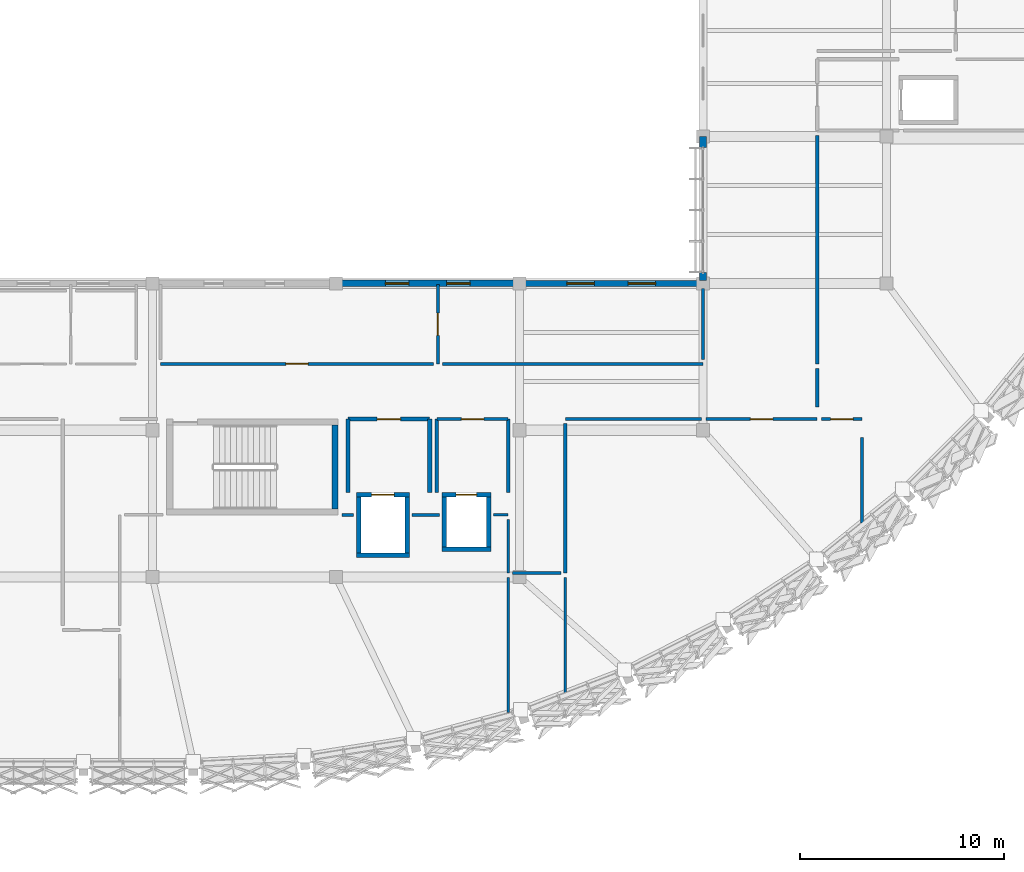
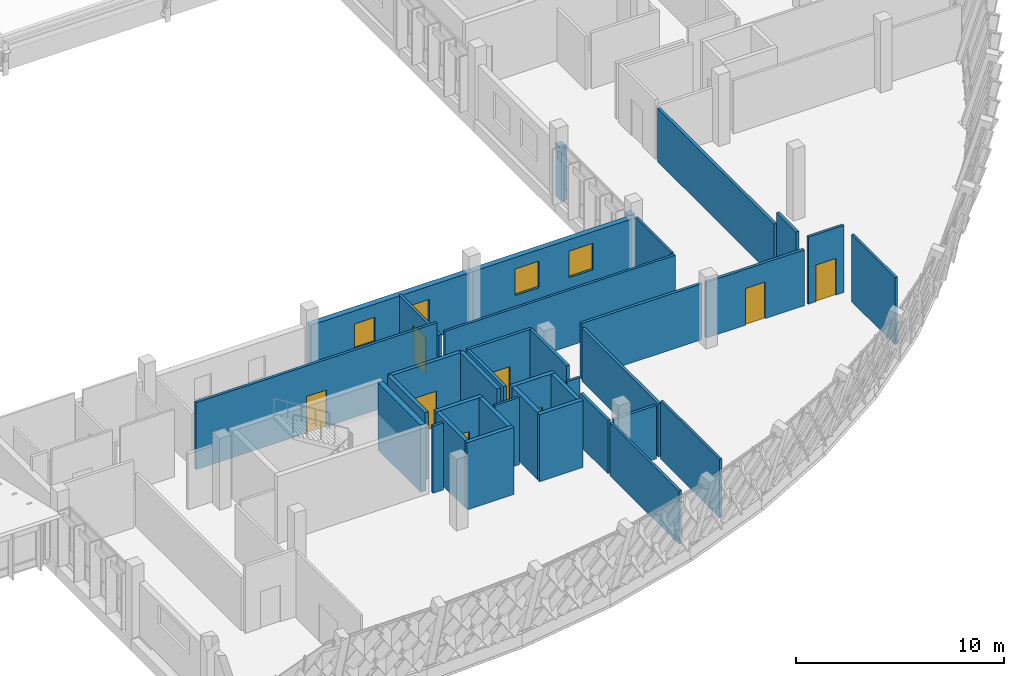
# One storey, part 171 of 182: 37 walls, 8 doors, 4 windows, 12 openings.
"""IFC4 building model written with IfcOpenShell, lengths in metres."""

from ifc_helpers import new_model, si_unit, direction, frame, frame_2d, origin, place, context, subcontext, project, spatial, rectangle, extrude, material, layer, layer_set, type_object, element, fill, save


model = new_model("IFC4")

# Units and contexts
model_context = context("Model", 3, precision=1e-05, world=origin(), true_north=direction((0.0, 1.0)))
body_context = subcontext(model_context, "Body", "Model", "MODEL_VIEW")
ifc_project = project(units=[si_unit("LENGTHUNIT", "METRE"), si_unit("AREAUNIT", "SQUARE_METRE"), si_unit("VOLUMEUNIT", "CUBIC_METRE"), si_unit("PLANEANGLEUNIT", "RADIAN"), si_unit("MASSUNIT", "GRAM", prefix="KILO")], contexts=[model_context])

# Site, building, storey
site_placement = place(None, origin())
site = spatial("IfcSite", under=ifc_project, at=site_placement, CompositionType="ELEMENT")
building_placement = place(site_placement, origin())
building = spatial("IfcBuilding", under=site, at=building_placement, Name="Chiffa Square Polytechnic", CompositionType="ELEMENT")
storey_placement = place(building_placement, frame((0.0, 0.0, 9.60009765625)))
storey = spatial("IfcBuildingStorey", under=building, at=storey_placement, Name="L02", CompositionType="ELEMENT", Elevation=9.60009765625)

# Wall
ifc_material_1 = material(Name="Concrete C40/50", Category="concrete")
ifc_layer_1 = layer(ifc_material_1, 0.300048828125, Name="Concrete C40/50")
ifc_layer_set_1 = layer_set([ifc_layer_1], Name="Concrete C40/50")
wall_type_1 = type_object("IfcWallType", Name="WL-CORE-300", PredefinedType="SHEAR", material=ifc_layer_set_1)
wall_1_placement = place(storey_placement, frame((130.14990234375, 17.75, 0.0), z_axis=(0.0, 0.0, 1.0), x_axis=(0.0, 1.0, 0.0)))
element("IfcWall", 1, at=wall_1_placement, inside=storey, type_object=wall_type_1, Name="Core or enclosure wall WC-CORE-V1A-L02-EAST", PredefinedType="SHEAR", context=body_context, shape_type="SweptSolid", body=[
    extrude(rectangle(XDim=4.10009765625, YDim=0.300048828125, at=frame_2d((2.050048828125, 0.0))), origin(), (0.0, 0.0, 1.0), 3.93994140625),
])

# Wall, openings, windows
ifc_material_2 = material(Name="Precast concrete C40/50", Category="concrete")
ifc_layer_2 = layer(ifc_material_2, 0.300048828125, Name="Precast concrete C40/50")
ifc_layer_set_2 = layer_set([ifc_layer_2], Name="Precast concrete C40/50")
wall_type_2 = type_object("IfcWallType", Name="WL-EXT-PC300", PredefinedType="SOLIDWALL", material=ifc_layer_set_2)
wall_2_placement = place(storey_placement, frame((148.199951171875, 28.800048828125, 0.0), z_axis=(0.0, 0.0, 1.0), x_axis=(-1.0, 0.0, 0.0)))
wall_2 = element("IfcWall", 2, at=wall_2_placement, inside=storey, type_object=wall_type_2, Name="Exterior wall WE-V1-L02-0038", PredefinedType="SOLIDWALL", context=body_context, shape_type="SweptSolid", body=[
    extrude(rectangle(XDim=9.0, YDim=0.300048828125, at=frame_2d((4.5, 0.0))), origin(), (0.0, 0.0, 1.0), 3.125),
])
opening_1_placement = place(wall_2_placement, frame((2.324951171875, 0.0, 0.89990234375)))
opening_1 = element("IfcOpeningElement", 3, at=opening_1_placement, cuts=wall_2, Name="Opening W-17", PredefinedType="OPENING", context=body_context, shape_type="SweptSolid", body=[
    extrude(rectangle(XDim=1.35009765625, YDim=1.550048828125, at=frame_2d((0.675048828125, 0.77490234375))), frame((0.0, 0.16015625, 0.0), z_axis=(0.0, -1.0, 0.0), x_axis=(1.0, 0.0, 0.0)), (0.0, 0.0, 1.0), 0.320068359375),
])
opening_2_placement = place(wall_2_placement, frame((5.324951171875, 0.0, 0.89990234375)))
opening_2 = element("IfcOpeningElement", 4, at=opening_2_placement, cuts=wall_2, Name="Opening W-17", PredefinedType="OPENING", context=body_context, shape_type="SweptSolid", body=[
    extrude(rectangle(XDim=1.35009765625, YDim=1.550048828125, at=frame_2d((0.675048828125, 0.77490234375))), frame((0.0, 0.16015625, 0.0), z_axis=(0.0, -1.0, 0.0), x_axis=(1.0, 0.0, 0.0)), (0.0, 0.0, 1.0), 0.320068359375),
])
ifc_material_3 = material(Name="Double glazing in thermally broken aluminium frame", Category="aluminium")
window_type_1 = type_object("IfcWindowType", Name="WIN-OFF-1350X1550", PartitioningType="DOUBLE_PANEL_VERTICAL", PredefinedType="WINDOW", material=ifc_material_3)
window_1_placement = place(opening_1_placement, origin())
window_1 = element("IfcWindow", 5, at=window_1_placement, inside=storey, type_object=window_type_1, Name="Facade window WN-L02-0034", OverallHeight=1.550048828125, OverallWidth=1.35009765625, PartitioningType="DOUBLE_PANEL_VERTICAL", PredefinedType="WINDOW", context=body_context, shape_type="SweptSolid", body=[
    extrude(rectangle(XDim=1.35009765625, YDim=1.550048828125, at=frame_2d((0.675048828125, 0.77490234375))), frame((0.0, 0.030029296875, 0.0), z_axis=(0.0, -1.0, 0.0), x_axis=(1.0, 0.0, 0.0)), (0.0, 0.0, 1.0), 0.06005859375),
])
fill(opening_1, window_1)
window_2_placement = place(opening_2_placement, origin())
window_2 = element("IfcWindow", 6, at=window_2_placement, inside=storey, type_object=window_type_1, Name="Facade window WN-L02-0035", OverallHeight=1.550048828125, OverallWidth=1.35009765625, PartitioningType="DOUBLE_PANEL_VERTICAL", PredefinedType="WINDOW", context=body_context, shape_type="SweptSolid", body=[
    extrude(rectangle(XDim=1.35009765625, YDim=1.550048828125, at=frame_2d((0.675048828125, 0.77490234375))), frame((0.0, 0.030029296875, 0.0), z_axis=(0.0, -1.0, 0.0), x_axis=(1.0, 0.0, 0.0)), (0.0, 0.0, 1.0), 0.06005859375),
])
fill(opening_2, window_2)

# Walls
ifc_layer_3 = layer(ifc_material_2, 0.320068359375, Name="Precast concrete C40/50")
ifc_layer_set_3 = layer_set([ifc_layer_3], Name="Precast concrete C40/50")
wall_type_3 = type_object("IfcWallType", Name="WL-EXT-PC320", PredefinedType="SOLIDWALL", material=ifc_layer_set_3)
wall_3_placement = place(storey_placement, frame((148.199951171875, 36.0, 0.0), z_axis=(0.0, 0.0, 1.0), x_axis=(0.0, -1.0, 0.0)))
element("IfcWall", 7, at=wall_3_placement, inside=storey, type_object=wall_type_3, Name="Facade column pier V1-L02-0037L", PredefinedType="SOLIDWALL", context=body_context, shape_type="SweptSolid", body=[
    extrude(rectangle(XDim=0.5400390625, YDim=0.320068359375, at=frame_2d((0.27001953125, 0.0))), origin(), (0.0, 0.0, 1.0), 3.125),
])
wall_4_placement = place(storey_placement, frame((148.199951171875, 29.340087890625, 0.0), z_axis=(0.0, 0.0, 1.0), x_axis=(0.0, -1.0, 0.0)))
element("IfcWall", 8, at=wall_4_placement, inside=storey, type_object=wall_type_3, Name="Facade column pier V1-L02-0037R", PredefinedType="SOLIDWALL", context=body_context, shape_type="SweptSolid", body=[
    extrude(rectangle(XDim=0.38818359375, YDim=0.320068359375, at=frame_2d((0.194091796875, 0.0))), origin(), (0.0, 0.0, 1.0), 3.125),
])

# Wall, openings, windows
wall_5_placement = place(storey_placement, frame((139.199951171875, 28.800048828125, 0.0), z_axis=(0.0, 0.0, 1.0), x_axis=(-1.0, 0.0, 0.0)))
wall_5 = element("IfcWall", 9, at=wall_5_placement, inside=storey, type_object=wall_type_3, Name="Exterior wall WE-V1-L02-0039", PredefinedType="SOLIDWALL", context=body_context, shape_type="SweptSolid", body=[
    extrude(rectangle(XDim=9.0, YDim=0.320068359375, at=frame_2d((4.5, 0.0))), origin(), (0.0, 0.0, 1.0), 3.125),
])
opening_3_placement = place(wall_5_placement, frame((2.425048828125, 0.0, 0.89990234375)))
opening_3 = element("IfcOpeningElement", 10, at=opening_3_placement, cuts=wall_5, Name="Opening W-19", PredefinedType="OPENING", context=body_context, shape_type="SweptSolid", body=[
    extrude(rectangle(XDim=1.14990234375, YDim=1.449951171875, at=frame_2d((0.574951171875, 0.72509765625))), frame((0.0, 0.169921875, 0.0), z_axis=(0.0, -1.0, 0.0), x_axis=(1.0, 0.0, 0.0)), (0.0, 0.0, 1.0), 0.340087890625),
])
opening_4_placement = place(wall_5_placement, frame((5.425048828125, 0.0, 0.89990234375)))
opening_4 = element("IfcOpeningElement", 11, at=opening_4_placement, cuts=wall_5, Name="Opening W-19", PredefinedType="OPENING", context=body_context, shape_type="SweptSolid", body=[
    extrude(rectangle(XDim=1.14990234375, YDim=1.449951171875, at=frame_2d((0.574951171875, 0.72509765625))), frame((0.0, 0.169921875, 0.0), z_axis=(0.0, -1.0, 0.0), x_axis=(1.0, 0.0, 0.0)), (0.0, 0.0, 1.0), 0.340087890625),
])
window_type_2 = type_object("IfcWindowType", Name="WIN-OFF-1150X1450", PartitioningType="DOUBLE_PANEL_VERTICAL", PredefinedType="WINDOW", material=ifc_material_3)
window_3_placement = place(opening_3_placement, origin())
window_3 = element("IfcWindow", 12, at=window_3_placement, inside=storey, type_object=window_type_2, Name="Facade window WN-L02-0036", OverallHeight=1.449951171875, OverallWidth=1.14990234375, PartitioningType="DOUBLE_PANEL_VERTICAL", PredefinedType="WINDOW", context=body_context, shape_type="SweptSolid", body=[
    extrude(rectangle(XDim=1.14990234375, YDim=1.449951171875, at=frame_2d((0.574951171875, 0.72509765625))), frame((0.0, 0.030029296875, 0.0), z_axis=(0.0, -1.0, 0.0), x_axis=(1.0, 0.0, 0.0)), (0.0, 0.0, 1.0), 0.06005859375),
])
fill(opening_3, window_3)
window_4_placement = place(opening_4_placement, origin())
window_4 = element("IfcWindow", 13, at=window_4_placement, inside=storey, type_object=window_type_2, Name="Facade window WN-L02-0037", OverallHeight=1.449951171875, OverallWidth=1.14990234375, PartitioningType="DOUBLE_PANEL_VERTICAL", PredefinedType="WINDOW", context=body_context, shape_type="SweptSolid", body=[
    extrude(rectangle(XDim=1.14990234375, YDim=1.449951171875, at=frame_2d((0.574951171875, 0.72509765625))), frame((0.0, 0.030029296875, 0.0), z_axis=(0.0, -1.0, 0.0), x_axis=(1.0, 0.0, 0.0)), (0.0, 0.0, 1.0), 0.06005859375),
])
fill(opening_4, window_4)

# Walls
ifc_material_4 = material(Name="Gypsum board on steel stud", Category="steel")
ifc_layer_4 = layer(ifc_material_4, 0.125, Name="Gypsum board on steel stud")
ifc_layer_set_4 = layer_set([ifc_layer_4], Name="Gypsum board on steel stud")
wall_type_4 = type_object("IfcWallType", Name="WL-PART-125", PredefinedType="PARTITIONING", material=ifc_layer_set_4)
wall_6_placement = place(storey_placement, frame((148.199951171875, 25.070068359375, 0.0), z_axis=(0.0, 0.0, 1.0), x_axis=(0.0, 1.0, 0.0)))
element("IfcWall", 14, at=wall_6_placement, inside=storey, type_object=wall_type_4, Name="Interior partition WP-V1-L02-0407", PredefinedType="PARTITIONING", context=body_context, shape_type="SweptSolid", body=[
    extrude(rectangle(XDim=3.489990234375, YDim=0.125, at=frame_2d((1.7451171875, 0.0))), origin(), (0.0, 0.0, 1.0), 3.27490234375),
])
wall_7_placement = place(storey_placement, frame((141.449951171875, 8.722900390625, 0.0), z_axis=(0.0, 0.0, 1.0), x_axis=(0.0, 1.0, 0.0)))
element("IfcWall", 15, at=wall_7_placement, inside=storey, type_object=wall_type_4, Name="Interior partition WP-V1-L02-0425", PredefinedType="PARTITIONING", context=body_context, shape_type="SweptSolid", body=[
    extrude(rectangle(XDim=5.656982421875, YDim=0.125, at=frame_2d((2.82861328125, 0.0))), origin(), (0.0, 0.0, 1.0), 3.4248046875),
])
wall_8_placement = place(storey_placement, frame((137.929931640625, 17.449951171875, 0.0), z_axis=(0.0, 0.0, 1.0), x_axis=(1.0, 0.0, 0.0)))
element("IfcWall", 16, at=wall_8_placement, inside=storey, type_object=wall_type_4, Name="Interior partition WP-V1-L02-0446", PredefinedType="PARTITIONING", context=body_context, shape_type="SweptSolid", body=[
    extrude(rectangle(XDim=0.719970703125, YDim=0.125, at=frame_2d((0.35986328125, 0.0))), origin(), (0.0, 0.0, 1.0), 3.93994140625),
])
ifc_layer_5 = layer(ifc_material_4, 0.135009765625, Name="Gypsum board on steel stud")
ifc_layer_set_5 = layer_set([ifc_layer_5], Name="Gypsum board on steel stud")
wall_type_5 = type_object("IfcWallType", Name="WL-PART-135", PredefinedType="PARTITIONING", material=ifc_layer_set_5)
wall_9_placement = place(storey_placement, frame((135.419921875, 24.85009765625, 0.0), z_axis=(0.0, 0.0, 1.0), x_axis=(1.0, 0.0, 0.0)))
element("IfcWall", 17, at=wall_9_placement, inside=storey, type_object=wall_type_5, Name="Interior partition WP-V1-L02-0406", PredefinedType="PARTITIONING", context=body_context, shape_type="SweptSolid", body=[
    extrude(rectangle(XDim=12.780029296875, YDim=0.135009765625, at=frame_2d((6.39013671875, 0.0))), origin(), (0.0, 0.0, 1.0), 3.27490234375),
])
wall_10_placement = place(storey_placement, frame((156.0, 17.056884765625, 0.0), z_axis=(0.0, 0.0, 1.0), x_axis=(0.0, 1.0, 0.0)))
element("IfcWall", 18, at=wall_10_placement, inside=storey, type_object=wall_type_5, Name="Interior partition WP-V1-L02-0427", PredefinedType="PARTITIONING", context=body_context, shape_type="SweptSolid", body=[
    extrude(rectangle(XDim=4.177001953125, YDim=0.135009765625, at=frame_2d((2.08837890625, 0.0))), origin(), (0.0, 0.0, 1.0), 3.93994140625),
])
wall_11_placement = place(storey_placement, frame((133.929931640625, 17.449951171875, 0.0), z_axis=(0.0, 0.0, 1.0), x_axis=(1.0, 0.0, 0.0)))
element("IfcWall", 19, at=wall_11_placement, inside=storey, type_object=wall_type_5, Name="Interior partition WP-V1-L02-0445", PredefinedType="PARTITIONING", context=body_context, shape_type="SweptSolid", body=[
    extrude(rectangle(XDim=1.340087890625, YDim=0.135009765625, at=frame_2d((0.669921875, 0.0))), origin(), (0.0, 0.0, 1.0), 3.93994140625),
])
wall_12_placement = place(storey_placement, frame((138.64990234375, 7.76708984375, 0.0), z_axis=(0.0, 0.0, 1.0), x_axis=(0.0, 1.0, 0.0)))
element("IfcWall", 20, at=wall_12_placement, inside=storey, type_object=wall_type_5, Name="Interior partition WP-V1-L02-0448", PredefinedType="PARTITIONING", context=body_context, shape_type="SweptSolid", body=[
    extrude(rectangle(XDim=6.61279296875, YDim=0.135009765625, at=frame_2d((3.306396484375, 0.0))), origin(), (0.0, 0.0, 1.0), 3.125),
])

# Wall, opening, door
ifc_layer_6 = layer(ifc_material_4, 0.14501953125, Name="Gypsum board on steel stud")
ifc_layer_set_6 = layer_set([ifc_layer_6], Name="Gypsum board on steel stud")
wall_type_6 = type_object("IfcWallType", Name="WL-PART-145", PredefinedType="PARTITIONING", material=ifc_layer_set_6)
wall_13_placement = place(storey_placement, frame((135.199951171875, 24.85009765625, 0.0), z_axis=(0.0, 0.0, 1.0), x_axis=(0.0, 1.0, 0.0)))
wall_13 = element("IfcWall", 21, at=wall_13_placement, inside=storey, type_object=wall_type_6, Name="Interior partition WP-V1-L02-0405", PredefinedType="PARTITIONING", context=body_context, shape_type="SweptSolid", body=[
    extrude(rectangle(XDim=3.89501953125, YDim=0.14501953125, at=frame_2d((1.947509765625, 0.0))), origin(), (0.0, 0.0, 1.0), 3.125),
])
opening_5_placement = place(wall_13_placement, frame((1.39697265625, 0.0, 0.0)))
opening_5 = element("IfcOpeningElement", 22, at=opening_5_placement, cuts=wall_13, Name="Opening DI-L02-164", PredefinedType="OPENING", context=body_context, shape_type="SweptSolid", body=[
    extrude(rectangle(XDim=1.10009765625, YDim=2.14990234375, at=frame_2d((0.550048828125, 1.074951171875))), frame((0.0, 0.08251953125, 0.0), z_axis=(0.0, -1.0, 0.0), x_axis=(1.0, 0.0, 0.0)), (0.0, 0.0, 1.0), 0.1650390625),
])
ifc_material_5 = material(Name="Solid core ash veneer door")
door_type_1 = type_object("IfcDoorType", Name="DR-INT-1100", OperationType="NOTDEFINED", PredefinedType="DOOR", material=ifc_material_5)
door_1_placement = place(opening_5_placement, origin())
door_1 = element("IfcDoor", 23, at=door_1_placement, inside=storey, type_object=door_type_1, Name="Interior room door DI-L02-164", OperationType="SINGLE_SWING_RIGHT", OverallHeight=2.14990234375, OverallWidth=1.10009765625, PredefinedType="DOOR", context=body_context, shape_type="SweptSolid", body=[
    extrude(rectangle(XDim=1.10009765625, YDim=2.14990234375, at=frame_2d((0.550048828125, 1.074951171875))), frame((0.0, 0.02490234375, 0.0), z_axis=(0.0, -1.0, 0.0), x_axis=(1.0, 0.0, 0.0)), (0.0, 0.0, 1.0), 0.050048828125),
])
fill(opening_5, door_1)

wall_14_placement = place(storey_placement, frame((121.60009765625, 24.85009765625, 0.0), z_axis=(0.0, 0.0, 1.0), x_axis=(1.0, 0.0, 0.0)))
wall_14 = element("IfcWall", 24, at=wall_14_placement, inside=storey, type_object=wall_type_6, Name="Interior partition WP-V1-L02-0408", PredefinedType="PARTITIONING", context=body_context, shape_type="SweptSolid", body=[
    extrude(rectangle(XDim=13.3798828125, YDim=0.14501953125, at=frame_2d((6.68994140625, 0.0))), origin(), (0.0, 0.0, 1.0), 3.93994140625),
])
opening_6_placement = place(wall_14_placement, frame((6.139892578125, 0.0, 0.0)))
opening_6 = element("IfcOpeningElement", 25, at=opening_6_placement, cuts=wall_14, Name="Opening DI-L02-165", PredefinedType="OPENING", context=body_context, shape_type="SweptSolid", body=[
    extrude(rectangle(XDim=1.10009765625, YDim=2.14990234375, at=frame_2d((0.550048828125, 1.074951171875))), frame((0.0, 0.08251953125, 0.0), z_axis=(0.0, -1.0, 0.0), x_axis=(1.0, 0.0, 0.0)), (0.0, 0.0, 1.0), 0.1650390625),
])
door_2_placement = place(opening_6_placement, origin())
door_2 = element("IfcDoor", 26, at=door_2_placement, inside=storey, type_object=door_type_1, Name="Interior room door DI-L02-165", OperationType="SINGLE_SWING_LEFT", OverallHeight=2.14990234375, OverallWidth=1.10009765625, PredefinedType="DOOR", context=body_context, shape_type="SweptSolid", body=[
    extrude(rectangle(XDim=1.10009765625, YDim=2.14990234375, at=frame_2d((0.550048828125, 1.074951171875))), frame((0.0, 0.02490234375, 0.0), z_axis=(0.0, -1.0, 0.0), x_axis=(1.0, 0.0, 0.0)), (0.0, 0.0, 1.0), 0.050048828125),
])
fill(opening_6, door_2)

wall_15_placement = place(storey_placement, frame((154.02001953125, 22.14990234375, 0.0), z_axis=(0.0, 0.0, 1.0), x_axis=(1.0, 0.0, 0.0)))
wall_15 = element("IfcWall", 27, at=wall_15_placement, inside=storey, type_object=wall_type_6, Name="Interior partition WP-V1-L02-0426", PredefinedType="PARTITIONING", context=body_context, shape_type="SweptSolid", body=[
    extrude(rectangle(XDim=1.97998046875, YDim=0.14501953125, at=frame_2d((0.989990234375, 0.0))), origin(), (0.0, 0.0, 1.0), 3.93994140625),
])
opening_7_placement = place(wall_15_placement, frame((0.43994140625, 0.0, 0.0)))
opening_7 = element("IfcOpeningElement", 28, at=opening_7_placement, cuts=wall_15, Name="Opening DI-L02-172", PredefinedType="OPENING", context=body_context, shape_type="SweptSolid", body=[
    extrude(rectangle(XDim=1.10009765625, YDim=2.14990234375, at=frame_2d((0.550048828125, 1.074951171875))), frame((0.0, 0.08251953125, 0.0), z_axis=(0.0, -1.0, 0.0), x_axis=(1.0, 0.0, 0.0)), (0.0, 0.0, 1.0), 0.1650390625),
])
door_3_placement = place(opening_7_placement, origin())
door_3 = element("IfcDoor", 29, at=door_3_placement, inside=storey, type_object=door_type_1, Name="Interior room door DI-L02-172", OperationType="SINGLE_SWING_LEFT", OverallHeight=2.14990234375, OverallWidth=1.10009765625, PredefinedType="DOOR", context=body_context, shape_type="SweptSolid", body=[
    extrude(rectangle(XDim=1.10009765625, YDim=2.14990234375, at=frame_2d((0.550048828125, 1.074951171875))), frame((0.0, 0.02490234375, 0.0), z_axis=(0.0, -1.0, 0.0), x_axis=(1.0, 0.0, 0.0)), (0.0, 0.0, 1.0), 0.050048828125),
])
fill(opening_7, door_3)

# Walls
wall_16_placement = place(storey_placement, frame((130.487060546875, 17.449951171875, 0.0), z_axis=(0.0, 0.0, 1.0), x_axis=(1.0, 0.0, 0.0)))
element("IfcWall", 30, at=wall_16_placement, inside=storey, type_object=wall_type_6, Name="Interior partition WP-V1-L02-0444", PredefinedType="PARTITIONING", context=body_context, shape_type="SweptSolid", body=[
    extrude(rectangle(XDim=0.5830078125, YDim=0.14501953125, at=frame_2d((0.29150390625, 0.0))), origin(), (0.0, 0.0, 1.0), 3.93994140625),
])
wall_17_placement = place(storey_placement, frame((138.64990234375, 14.60009765625, 0.0), z_axis=(0.0, 0.0, 1.0), x_axis=(0.0, 1.0, 0.0)))
element("IfcWall", 31, at=wall_17_placement, inside=storey, type_object=wall_type_6, Name="Interior partition WP-V1-L02-0447", PredefinedType="PARTITIONING", context=body_context, shape_type="SweptSolid", body=[
    extrude(rectangle(XDim=2.6298828125, YDim=0.14501953125, at=frame_2d((1.31494140625, 0.0))), origin(), (0.0, 0.0, 1.0), 3.125),
])

# Wall, opening, door
ifc_material_6 = material(Name="Autoclaved aerated concrete blockwork", Category="masonry")
ifc_layer_7 = layer(ifc_material_6, 0.199951171875, Name="Autoclaved aerated concrete blockwork")
ifc_layer_set_7 = layer_set([ifc_layer_7], Name="Autoclaved aerated concrete blockwork")
wall_type_7 = type_object("IfcWallType", Name="WL-PART-EI120-200", PredefinedType="PARTITIONING", material=ifc_layer_set_7)
wall_18_placement = place(storey_placement, frame((130.800048828125, 22.14990234375, 0.0), z_axis=(0.0, 0.0, 1.0), x_axis=(1.0, 0.0, 0.0)))
wall_18 = element("IfcWall", 32, at=wall_18_placement, inside=storey, type_object=wall_type_7, Name="Lift lobby rated enclosure WP-LOB-LF-V1-L02-NORTH", PredefinedType="PARTITIONING", context=body_context, shape_type="SweptSolid", body=[
    extrude(rectangle(XDim=4.0, YDim=0.199951171875, at=frame_2d((2.0, 0.0))), origin(), (0.0, 0.0, 1.0), 3.93994140625),
])
opening_8_placement = place(wall_18_placement, frame((1.425048828125, 0.0, 0.0)))
opening_8 = element("IfcOpeningElement", 33, at=opening_8_placement, cuts=wall_18, Name="Opening DI-L02-004", PredefinedType="OPENING", context=body_context, shape_type="SweptSolid", body=[
    extrude(rectangle(XDim=1.14990234375, YDim=2.14990234375, at=frame_2d((0.574951171875, 1.074951171875))), frame((0.0, 0.10986328125, 0.0), z_axis=(0.0, -1.0, 0.0), x_axis=(1.0, 0.0, 0.0)), (0.0, 0.0, 1.0), 0.219970703125),
])
ifc_material_7 = material(Name="Fire-rated steel door leaf", Category="steel")
door_type_2 = type_object("IfcDoorType", Name="DR-LOBBY-FD120", OperationType="NOTDEFINED", PredefinedType="DOOR", material=ifc_material_7)
door_4_placement = place(opening_8_placement, origin())
door_4 = element("IfcDoor", 34, at=door_4_placement, inside=storey, type_object=door_type_2, Name="Lift lobby fire door DI-L02-004", OperationType="SINGLE_SWING_LEFT", OverallHeight=2.14990234375, OverallWidth=1.14990234375, PredefinedType="DOOR", context=body_context, shape_type="SweptSolid", body=[
    extrude(rectangle(XDim=1.14990234375, YDim=2.14990234375, at=frame_2d((0.574951171875, 1.074951171875))), frame((0.0, 0.02490234375, 0.0), z_axis=(0.0, -1.0, 0.0), x_axis=(1.0, 0.0, 0.0)), (0.0, 0.0, 1.0), 0.050048828125),
])
fill(opening_8, door_4)

# Walls
for number, where, z_axis, x_axis, name in (
    (35, (130.800048828125, 18.550048828125, 0.0), (0.0, 0.0, 1.0), (0.0, 1.0, 0.0), "Lift lobby rated enclosure WP-LOB-LF-V1-L02-WEST"),
    (36, (134.800048828125, 18.550048828125, 0.0), (0.0, 0.0, 1.0), (0.0, 1.0, 0.0), "Lift lobby rated enclosure WP-LOB-LF-V1-L02-EAST"),
):
    element("IfcWall", number, at=place(storey_placement, frame(where, z_axis=z_axis, x_axis=x_axis)), inside=storey, type_object=wall_type_7, Name=name, PredefinedType="PARTITIONING", context=body_context, shape_type="SweptSolid", body=[
        extrude(rectangle(XDim=3.599853515625, YDim=0.199951171875, at=frame_2d((1.7998046875, 0.0))), origin(), (0.0, 0.0, 1.0), 3.93994140625),
    ])

# Wall, opening, door
ifc_material_8 = material(Name="Gypsum board on acoustic steel stud", Category="steel")
ifc_layer_8 = layer(ifc_material_8, 0.159912109375, Name="Gypsum board on acoustic steel stud")
ifc_layer_set_8 = layer_set([ifc_layer_8], Name="Gypsum board on acoustic steel stud")
wall_type_8 = type_object("IfcWallType", Name="WL-PART-EI60-160", PredefinedType="PARTITIONING", material=ifc_layer_set_8)
wall_19_placement = place(storey_placement, frame((135.14990234375, 22.14990234375, 0.0), z_axis=(0.0, 0.0, 1.0), x_axis=(1.0, 0.0, 0.0)))
wall_19 = element("IfcWall", 37, at=wall_19_placement, inside=storey, type_object=wall_type_8, Name="Lift lobby rated enclosure WP-LOB-LP-V1A-L02-NORTH", PredefinedType="PARTITIONING", context=body_context, shape_type="SweptSolid", body=[
    extrude(rectangle(XDim=3.5, YDim=0.159912109375, at=frame_2d((1.75, 0.0))), origin(), (0.0, 0.0, 1.0), 3.93994140625),
])
opening_9_placement = place(wall_19_placement, frame((1.199951171875, 0.0, 0.0)))
opening_9 = element("IfcOpeningElement", 38, at=opening_9_placement, cuts=wall_19, Name="Opening DI-L02-012", PredefinedType="OPENING", context=body_context, shape_type="SweptSolid", body=[
    extrude(rectangle(XDim=1.10009765625, YDim=2.14990234375, at=frame_2d((0.550048828125, 1.074951171875))), frame((0.0, 0.08984375, 0.0), z_axis=(0.0, -1.0, 0.0), x_axis=(1.0, 0.0, 0.0)), (0.0, 0.0, 1.0), 0.179931640625),
])
door_5_placement = place(opening_9_placement, origin())
door_5 = element("IfcDoor", 39, at=door_5_placement, inside=storey, type_object=door_type_1, Name="Lift lobby fire door DI-L02-012", OperationType="SINGLE_SWING_LEFT", OverallHeight=2.14990234375, OverallWidth=1.10009765625, PredefinedType="DOOR", context=body_context, shape_type="SweptSolid", body=[
    extrude(rectangle(XDim=1.10009765625, YDim=2.14990234375, at=frame_2d((0.550048828125, 1.074951171875))), frame((0.0, 0.02490234375, 0.0), z_axis=(0.0, -1.0, 0.0), x_axis=(1.0, 0.0, 0.0)), (0.0, 0.0, 1.0), 0.050048828125),
])
fill(opening_9, door_5)

# Walls
for number, where, z_axis, x_axis, name in (
    (40, (135.14990234375, 18.550048828125, 0.0), (0.0, 0.0, 1.0), (0.0, 1.0, 0.0), "Lift lobby rated enclosure WP-LOB-LP-V1A-L02-WEST"),
    (41, (138.64990234375, 18.550048828125, 0.0), (0.0, 0.0, 1.0), (0.0, 1.0, 0.0), "Lift lobby rated enclosure WP-LOB-LP-V1A-L02-EAST"),
):
    element("IfcWall", number, at=place(storey_placement, frame(where, z_axis=z_axis, x_axis=x_axis)), inside=storey, type_object=wall_type_8, Name=name, PredefinedType="PARTITIONING", context=body_context, shape_type="SweptSolid", body=[
        extrude(rectangle(XDim=3.599853515625, YDim=0.159912109375, at=frame_2d((1.7998046875, 0.0))), origin(), (0.0, 0.0, 1.0), 3.93994140625),
    ])

# Wall, opening, door
wall_20_placement = place(storey_placement, frame((148.35009765625, 22.14990234375, 0.0), z_axis=(0.0, 0.0, 1.0), x_axis=(1.0, 0.0, 0.0)))
wall_20 = element("IfcWall", 42, at=wall_20_placement, inside=storey, type_object=wall_type_8, Name="Interior partition WP-V1-L02-0422", PredefinedType="PARTITIONING", context=body_context, shape_type="SweptSolid", body=[
    extrude(rectangle(XDim=5.449951171875, YDim=0.159912109375, at=frame_2d((2.72509765625, 0.0))), origin(), (0.0, 0.0, 1.0), 3.27490234375),
])
opening_10_placement = place(wall_20_placement, frame((2.175048828125, 0.0, 0.0)))
opening_10 = element("IfcOpeningElement", 43, at=opening_10_placement, cuts=wall_20, Name="Opening DI-L02-171", PredefinedType="OPENING", context=body_context, shape_type="SweptSolid", body=[
    extrude(rectangle(XDim=1.10009765625, YDim=2.14990234375, at=frame_2d((0.550048828125, 1.074951171875))), frame((0.0, 0.08984375, 0.0), z_axis=(0.0, -1.0, 0.0), x_axis=(1.0, 0.0, 0.0)), (0.0, 0.0, 1.0), 0.179931640625),
])
door_6_placement = place(opening_10_placement, origin())
door_6 = element("IfcDoor", 44, at=door_6_placement, inside=storey, type_object=door_type_1, Name="Interior room door DI-L02-171", OperationType="SINGLE_SWING_RIGHT", OverallHeight=2.14990234375, OverallWidth=1.10009765625, PredefinedType="DOOR", context=body_context, shape_type="SweptSolid", body=[
    extrude(rectangle(XDim=1.10009765625, YDim=2.14990234375, at=frame_2d((0.550048828125, 1.074951171875))), frame((0.0, 0.02490234375, 0.0), z_axis=(0.0, -1.0, 0.0), x_axis=(1.0, 0.0, 0.0)), (0.0, 0.0, 1.0), 0.050048828125),
])
fill(opening_10, door_6)

# Walls
wall_21_placement = place(storey_placement, frame((141.449951171875, 22.14990234375, 0.0), z_axis=(0.0, 0.0, 1.0), x_axis=(1.0, 0.0, 0.0)))
element("IfcWall", 45, at=wall_21_placement, inside=storey, type_object=wall_type_8, Name="Interior partition WP-V1-L02-0423", PredefinedType="PARTITIONING", context=body_context, shape_type="SweptSolid", body=[
    extrude(rectangle(XDim=6.679931640625, YDim=0.159912109375, at=frame_2d((3.33984375, 0.0))), origin(), (0.0, 0.0, 1.0), 3.27490234375),
])
wall_22_placement = place(storey_placement, frame((141.449951171875, 14.60009765625, 0.0), z_axis=(0.0, 0.0, 1.0), x_axis=(0.0, 1.0, 0.0)))
element("IfcWall", 46, at=wall_22_placement, inside=storey, type_object=wall_type_8, Name="Interior partition WP-V1-L02-0424", PredefinedType="PARTITIONING", context=body_context, shape_type="SweptSolid", body=[
    extrude(rectangle(XDim=7.329833984375, YDim=0.159912109375, at=frame_2d((3.6650390625, 0.0))), origin(), (0.0, 0.0, 1.0), 3.125),
])
wall_23_placement = place(storey_placement, frame((153.800048828125, 24.85009765625, 0.0), z_axis=(0.0, 0.0, 1.0), x_axis=(0.0, 1.0, 0.0)))
element("IfcWall", 47, at=wall_23_placement, inside=storey, type_object=wall_type_8, Name="Interior partition WP-V1-L02-0437", PredefinedType="PARTITIONING", context=body_context, shape_type="SweptSolid", body=[
    extrude(rectangle(XDim=11.2099609375, YDim=0.159912109375, at=frame_2d((5.60498046875, 0.0))), origin(), (0.0, 0.0, 1.0), 3.125),
])
wall_24_placement = place(storey_placement, frame((153.800048828125, 22.7451171875, 0.0), z_axis=(0.0, 0.0, 1.0), x_axis=(0.0, 1.0, 0.0)))
element("IfcWall", 48, at=wall_24_placement, inside=storey, type_object=wall_type_8, Name="Interior partition WP-V1-L02-0438", PredefinedType="PARTITIONING", context=body_context, shape_type="SweptSolid", body=[
    extrude(rectangle(XDim=1.884765625, YDim=0.159912109375, at=frame_2d((0.9423828125, 0.0))), origin(), (0.0, 0.0, 1.0), 3.93994140625),
])
wall_25_placement = place(storey_placement, frame((138.8701171875, 14.60009765625, 0.0), z_axis=(0.0, 0.0, 1.0), x_axis=(1.0, 0.0, 0.0)))
element("IfcWall", 49, at=wall_25_placement, inside=storey, type_object=wall_type_8, Name="Interior partition WP-V1-L02-0485", PredefinedType="PARTITIONING", context=body_context, shape_type="SweptSolid", body=[
    extrude(rectangle(XDim=2.35986328125, YDim=0.159912109375, at=frame_2d((1.179931640625, 0.0))), origin(), (0.0, 0.0, 1.0), 3.125),
])
ifc_material_9 = material(Name="Concrete C35/45", Category="concrete")
ifc_layer_9 = layer(ifc_material_9, 0.219970703125, Name="Concrete C35/45")
ifc_layer_set_9 = layer_set([ifc_layer_9], Name="Concrete C35/45")
wall_type_9 = type_object("IfcWallType", Name="WL-SHAFT-220", PredefinedType="SHEAR", material=ifc_layer_set_9)
wall_26_placement = place(storey_placement, frame((131.199951171875, 15.4599609375, 0.0), z_axis=(0.0, 0.0, 1.0), x_axis=(1.0, 0.0, 0.0)))
element("IfcWall", 50, at=wall_26_placement, inside=storey, type_object=wall_type_9, Name="Core or enclosure wall WS-LF-V1-L02-SOUTH", PredefinedType="SHEAR", context=body_context, shape_type="SweptSolid", body=[
    extrude(rectangle(XDim=2.60009765625, YDim=0.219970703125, at=frame_2d((1.300048828125, 0.0))), origin(), (0.0, 0.0, 1.0), 3.93994140625),
])

# Wall, opening, door
wall_27_placement = place(storey_placement, frame((131.199951171875, 18.43994140625, 0.0), z_axis=(0.0, 0.0, 1.0), x_axis=(1.0, 0.0, 0.0)))
wall_27 = element("IfcWall", 51, at=wall_27_placement, inside=storey, type_object=wall_type_9, Name="Core or enclosure wall WS-LF-V1-L02-NORTH", PredefinedType="SHEAR", context=body_context, shape_type="SweptSolid", body=[
    extrude(rectangle(XDim=2.60009765625, YDim=0.219970703125, at=frame_2d((1.300048828125, 0.0))), origin(), (0.0, 0.0, 1.0), 3.93994140625),
])
opening_11_placement = place(wall_27_placement, frame((0.75, 0.0, 0.0)))
opening_11 = element("IfcOpeningElement", 52, at=opening_11_placement, cuts=wall_27, Name="Opening LD-LF-V1-L02", PredefinedType="OPENING", context=body_context, shape_type="SweptSolid", body=[
    extrude(rectangle(XDim=1.10009765625, YDim=2.14990234375, at=frame_2d((0.550048828125, 1.074951171875))), frame((0.0, 0.1201171875, 0.0), z_axis=(0.0, -1.0, 0.0), x_axis=(1.0, 0.0, 0.0)), (0.0, 0.0, 1.0), 0.239990234375),
])
ifc_material_10 = material(Name="Brushed stainless steel sliding landing door", Category="steel")
door_type_3 = type_object("IfcDoorType", Name="DR-LIFT-1100", OperationType="SLIDING_TO_LEFT", PredefinedType="DOOR", material=ifc_material_10)
door_7_placement = place(opening_11_placement, origin())
door_7 = element("IfcDoor", 53, at=door_7_placement, inside=storey, type_object=door_type_3, Name="Enclosure door LD-LF-V1-L02", OperationType="SLIDING_TO_LEFT", OverallHeight=2.14990234375, OverallWidth=1.10009765625, PredefinedType="DOOR", context=body_context, shape_type="SweptSolid", body=[
    extrude(rectangle(XDim=1.10009765625, YDim=2.14990234375, at=frame_2d((0.550048828125, 1.074951171875))), frame((0.0, 0.02490234375, 0.0), z_axis=(0.0, -1.0, 0.0), x_axis=(1.0, 0.0, 0.0)), (0.0, 0.0, 1.0), 0.050048828125),
])
fill(opening_11, door_7)

# Walls
for number, where, z_axis, x_axis, name in (
    (54, (131.31005859375, 15.570068359375, 0.0), (0.0, 0.0, 1.0), (0.0, 1.0, 0.0), "Core or enclosure wall WS-LF-V1-L02-WEST"),
    (55, (133.68994140625, 15.570068359375, 0.0), (0.0, 0.0, 1.0), (0.0, 1.0, 0.0), "Core or enclosure wall WS-LF-V1-L02-EAST"),
):
    element("IfcWall", number, at=place(storey_placement, frame(where, z_axis=z_axis, x_axis=x_axis)), inside=storey, type_object=wall_type_9, Name=name, PredefinedType="SHEAR", context=body_context, shape_type="SweptSolid", body=[
        extrude(rectangle(XDim=2.760009765625, YDim=0.219970703125, at=frame_2d((1.3798828125, 0.0))), origin(), (0.0, 0.0, 1.0), 3.93994140625),
    ])
wall_28_placement = place(storey_placement, frame((135.39990234375, 15.760009765625, 0.0), z_axis=(0.0, 0.0, 1.0), x_axis=(1.0, 0.0, 0.0)))
element("IfcWall", 56, at=wall_28_placement, inside=storey, type_object=wall_type_9, Name="Core or enclosure wall WS-LP-V1A-L02-SOUTH", PredefinedType="SHEAR", context=body_context, shape_type="SweptSolid", body=[
    extrude(rectangle(XDim=2.400146484375, YDim=0.219970703125, at=frame_2d((1.2001953125, 0.0))), origin(), (0.0, 0.0, 1.0), 3.93994140625),
])

# Wall, opening, door
wall_29_placement = place(storey_placement, frame((135.39990234375, 18.43994140625, 0.0), z_axis=(0.0, 0.0, 1.0), x_axis=(1.0, 0.0, 0.0)))
wall_29 = element("IfcWall", 57, at=wall_29_placement, inside=storey, type_object=wall_type_9, Name="Core or enclosure wall WS-LP-V1A-L02-NORTH", PredefinedType="SHEAR", context=body_context, shape_type="SweptSolid", body=[
    extrude(rectangle(XDim=2.400146484375, YDim=0.219970703125, at=frame_2d((1.2001953125, 0.0))), origin(), (0.0, 0.0, 1.0), 3.93994140625),
])
opening_12_placement = place(wall_29_placement, frame((0.699951171875, 0.0, 0.0)))
opening_12 = element("IfcOpeningElement", 58, at=opening_12_placement, cuts=wall_29, Name="Opening LD-LP-V1A-L02", PredefinedType="OPENING", context=body_context, shape_type="SweptSolid", body=[
    extrude(rectangle(XDim=1.0, YDim=2.14990234375, at=frame_2d((0.5, 1.074951171875))), frame((0.0, 0.1201171875, 0.0), z_axis=(0.0, -1.0, 0.0), x_axis=(1.0, 0.0, 0.0)), (0.0, 0.0, 1.0), 0.239990234375),
])
door_type_4 = type_object("IfcDoorType", Name="DR-LIFT-1000", OperationType="SLIDING_TO_RIGHT", PredefinedType="DOOR", material=ifc_material_10)
door_8_placement = place(opening_12_placement, origin())
door_8 = element("IfcDoor", 59, at=door_8_placement, inside=storey, type_object=door_type_4, Name="Enclosure door LD-LP-V1A-L02", OperationType="SLIDING_TO_RIGHT", OverallHeight=2.14990234375, OverallWidth=1.0, PredefinedType="DOOR", context=body_context, shape_type="SweptSolid", body=[
    extrude(rectangle(XDim=1.0, YDim=2.14990234375, at=frame_2d((0.5, 1.074951171875))), frame((0.0, 0.02490234375, 0.0), z_axis=(0.0, -1.0, 0.0), x_axis=(1.0, 0.0, 0.0)), (0.0, 0.0, 1.0), 0.050048828125),
])
fill(opening_12, door_8)

# Walls
for number, where, z_axis, x_axis, name in (
    (60, (135.510009765625, 15.8701171875, 0.0), (0.0, 0.0, 1.0), (0.0, 1.0, 0.0), "Core or enclosure wall WS-LP-V1A-L02-WEST"),
    (61, (137.68994140625, 15.8701171875, 0.0), (0.0, 0.0, 1.0), (0.0, 1.0, 0.0), "Core or enclosure wall WS-LP-V1A-L02-EAST"),
):
    element("IfcWall", number, at=place(storey_placement, frame(where, z_axis=z_axis, x_axis=x_axis)), inside=storey, type_object=wall_type_9, Name=name, PredefinedType="SHEAR", context=body_context, shape_type="SweptSolid", body=[
        extrude(rectangle(XDim=2.4599609375, YDim=0.219970703125, at=frame_2d((1.22998046875, 0.0))), origin(), (0.0, 0.0, 1.0), 3.93994140625),
    ])

save(model, "model.ifc")
